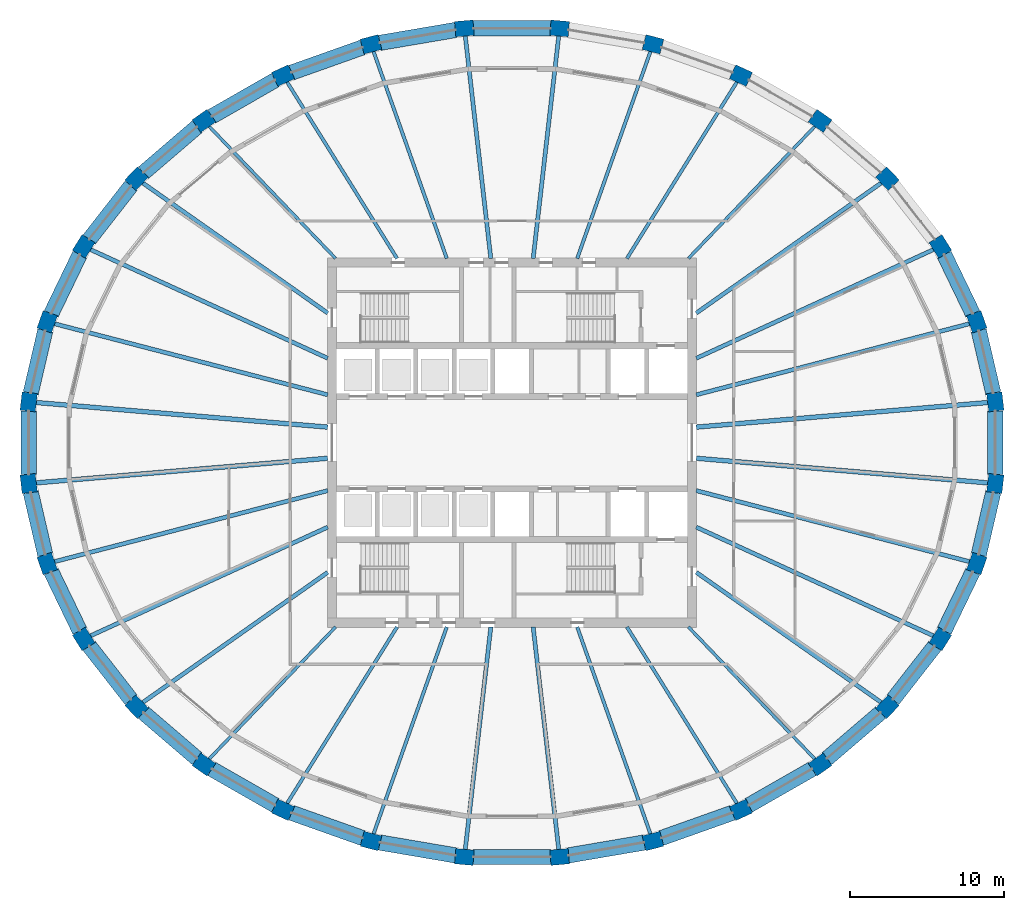
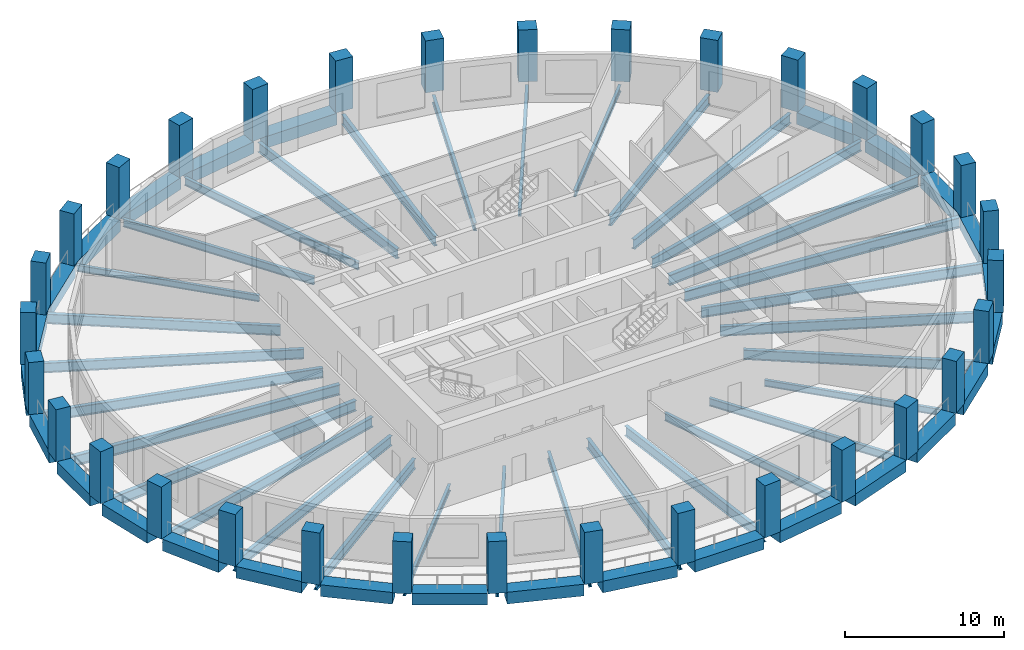
# One storey, part 1 of 11: 59 beams, 32 columns.
"""IFC4 building model written with IfcOpenShell, lengths in metres."""

from ifc_helpers import new_model, si_unit, direction, frame, origin, origin_2d, place, context, subcontext, project, spatial, rectangle, i_section, extrude, material, material_profile, profile_set, type_object, element, save


model = new_model("IFC4")

# Units and contexts
model_context = context("Model", 3, precision=1e-05, world=origin(), true_north=direction((0.0, 1.0)))
body_context = subcontext(model_context, "Body", "Model", "MODEL_VIEW")
ifc_project = project(units=[si_unit("LENGTHUNIT", "METRE"), si_unit("AREAUNIT", "SQUARE_METRE"), si_unit("VOLUMEUNIT", "CUBIC_METRE"), si_unit("PLANEANGLEUNIT", "RADIAN"), si_unit("MASSUNIT", "GRAM", prefix="KILO")], contexts=[model_context])

# Site, building, storey
site_placement = place(None, origin())
site = spatial("IfcSite", under=ifc_project, at=site_placement, CompositionType="ELEMENT")
building_placement = place(site_placement, origin())
building = spatial("IfcBuilding", under=site, at=building_placement, Name="Halqa Exchange Tower", CompositionType="ELEMENT")
storey_placement = place(building_placement, frame((0.0, 0.0, 230.89990234375)))
storey = spatial("IfcBuildingStorey", under=building, at=storey_placement, Name="L53", CompositionType="ELEMENT", Elevation=230.89990234375)

# Columns
ifc_material_1 = material(Name="Concrete C60/75", Category="concrete")
ifc_material_profile_1 = material_profile(ifc_material_1, rectangle(XDim=1.199951171875, YDim=1.0, at=origin_2d()), Name="1200 x 1000")
ifc_profile_set_1 = profile_set([ifc_material_profile_1], Name="Concrete C60/75")
column_type = type_object("IfcColumnType", Name="RC ring column 1200 x 1000 C60/75", PredefinedType="COLUMN", material=ifc_profile_set_1)
for number, where, z_axis, x_axis, name in (
    (1, (31.400634765625, 2.65087890625, 0.0), (0.0, 0.0, 1.0), (-0.114153454138, 0.993463129114, 0.0), "Ring column 1"),
    (2, (30.194091796875, 7.850830078125, 0.0), (0.0, 0.0, 1.0), (-0.333630814899, 0.942703813162, 0.0), "Ring column 2"),
    (3, (27.826904296875, 12.7490234375, 0.0), (0.0, 0.0, 1.0), (-0.529146420131, 0.848530533371, 0.0), "Ring column 3"),
    (4, (24.390380859375, 17.1572265625, 0.0), (0.0, 0.0, 1.0), (-0.691576091297, 0.722303613411, 0.0), "Ring column 4"),
    (5, (20.016845703125, 20.906005859375, 0.0), (0.0, 0.0, 1.0), (-0.817908788019, 0.57534790734, 0.0), "Ring column 5"),
    (6, (14.873779296875, 23.8515625, 0.0), (0.0, 0.0, 1.0), (-0.909128549752, 0.416515641994, 0.0), "Ring column 6"),
    (7, (9.1591796875, 25.880615234375, 0.0), (0.0, 0.0, 1.0), (-0.967818185946, 0.251650469805, 0.0), "Ring column 7"),
    (8, (3.0927734375, 26.914794921875, 0.0), (0.0, 0.0, 1.0), (-0.996454931683, 0.084128289675, 0.0), "Ring column 8"),
    (9, (-3.0927734375, 26.914794921875, 0.0), (0.0, 0.0, 1.0), (-0.996454931683, -0.084128289675, 0.0), "Ring column 9"),
    (10, (-9.1591796875, 25.880615234375, 0.0), (0.0, 0.0, 1.0), (-0.967818185946, -0.251650469805, 0.0), "Ring column 10"),
    (11, (-14.873779296875, 23.8515625, 0.0), (0.0, 0.0, 1.0), (-0.909128549752, -0.416515641994, 0.0), "Ring column 11"),
    (12, (-20.016845703125, 20.906005859375, 0.0), (0.0, 0.0, 1.0), (-0.817908788019, -0.57534790734, 0.0), "Ring column 12"),
    (13, (-24.390380859375, 17.1572265625, 0.0), (0.0, 0.0, 1.0), (-0.691576091297, -0.722303613411, 0.0), "Ring column 13"),
    (14, (-27.826904296875, 12.7490234375, 0.0), (0.0, 0.0, 1.0), (-0.529146420131, -0.848530533371, 0.0), "Ring column 14"),
    (15, (-30.194091796875, 7.850830078125, 0.0), (0.0, 0.0, 1.0), (-0.333630814899, -0.942703813162, 0.0), "Ring column 15"),
    (16, (-31.400634765625, 2.65087890625, 0.0), (0.0, 0.0, 1.0), (-0.114153454138, -0.993463129114, 0.0), "Ring column 16"),
    (17, (-31.400634765625, -2.65087890625, 0.0), (0.0, 0.0, 1.0), (0.114153454138, -0.993463129114, 0.0), "Ring column 17"),
    (18, (-30.194091796875, -7.850830078125, 0.0), (0.0, 0.0, 1.0), (0.333630814899, -0.942703813162, 0.0), "Ring column 18"),
    (19, (-27.826904296875, -12.7490234375, 0.0), (0.0, 0.0, 1.0), (0.529146420131, -0.848530533371, 0.0), "Ring column 19"),
    (20, (-24.390380859375, -17.1572265625, 0.0), (0.0, 0.0, 1.0), (0.691576091297, -0.722303613411, 0.0), "Ring column 20"),
    (21, (-20.016845703125, -20.906005859375, 0.0), (0.0, 0.0, 1.0), (0.817908788019, -0.57534790734, 0.0), "Ring column 21"),
    (22, (-14.873779296875, -23.8515625, 0.0), (0.0, 0.0, 1.0), (0.909128549752, -0.416515641994, 0.0), "Ring column 22"),
    (23, (-9.1591796875, -25.880615234375, 0.0), (0.0, 0.0, 1.0), (0.967818185946, -0.251650469805, 0.0), "Ring column 23"),
    (24, (-3.0927734375, -26.914794921875, 0.0), (0.0, 0.0, 1.0), (0.996454931683, -0.084128289675, 0.0), "Ring column 24"),
    (25, (3.0927734375, -26.914794921875, 0.0), (0.0, 0.0, 1.0), (0.996454931683, 0.084128289675, 0.0), "Ring column 25"),
    (26, (9.1591796875, -25.880615234375, 0.0), (0.0, 0.0, 1.0), (0.967818185946, 0.251650469805, 0.0), "Ring column 26"),
    (27, (14.873779296875, -23.8515625, 0.0), (0.0, 0.0, 1.0), (0.909128549752, 0.416515641994, 0.0), "Ring column 27"),
    (28, (20.016845703125, -20.906005859375, 0.0), (0.0, 0.0, 1.0), (0.817908788019, 0.57534790734, 0.0), "Ring column 28"),
    (29, (24.390380859375, -17.1572265625, 0.0), (0.0, 0.0, 1.0), (0.691576091297, 0.722303613411, 0.0), "Ring column 29"),
    (30, (27.826904296875, -12.7490234375, 0.0), (0.0, 0.0, 1.0), (0.529146420131, 0.848530533371, 0.0), "Ring column 30"),
    (31, (30.194091796875, -7.850830078125, 0.0), (0.0, 0.0, 1.0), (0.333630814899, 0.942703813162, 0.0), "Ring column 31"),
    (32, (31.400634765625, -2.65087890625, 0.0), (0.0, 0.0, 1.0), (0.114153454138, 0.993463129114, 0.0), "Ring column 32"),
):
    element("IfcColumn", number, at=place(storey_placement, frame(where, z_axis=z_axis, x_axis=x_axis)), inside=storey, type_object=column_type, Name=name, PredefinedType="COLUMN", context=body_context, shape_type="SweptSolid", body=[
        extrude(rectangle(XDim=1.199951171875, YDim=1.0, at=origin_2d()), origin(), (0.0, 0.0, 1.0), 4.0),
    ])

# Beams
ifc_material_2 = material(Name="Steel S355", Category="steel")
ifc_material_profile_2 = material_profile(ifc_material_2, i_section(OverallWidth=0.300048828125, OverallDepth=0.800048828125, WebThickness=0.017578125, FlangeThickness=0.032958984375, FilletRadius=0.030029296875, at=origin_2d()), Name="HEB 800")
ifc_profile_set_2 = profile_set([ifc_material_profile_2], Name="Steel S355")
beam_type_1 = type_object("IfcBeamType", Name="Floor beam HEB 800", PredefinedType="BEAM", material=ifc_profile_set_2)
for number, where, z_axis, x_axis, name in (
    (33, (11.972412109375, 1.0107421875, -0.699951171875), (0.996455378733, 0.084122994438, 0.0), (-0.084122994438, 0.996455378733, 0.0), "Radial beam 1"),
    (34, (-11.972412109375, 1.0107421875, -0.699951171875), (-0.996455378733, 0.084122994438, 0.0), (-0.084122994438, -0.996455378733, 0.0), "Radial beam 16"),
    (35, (-11.972412109375, -1.0107421875, -0.699951171875), (-0.996455378733, -0.084122994438, 0.0), (0.084122994438, -0.996455378733, 0.0), "Radial beam 17"),
    (36, (11.972412109375, -1.0107421875, -0.699951171875), (0.996455378733, -0.084122994438, 0.0), (0.084122994438, 0.996455378733, 0.0), "Radial beam 32"),
):
    element("IfcBeam", number, at=place(storey_placement, frame(where, z_axis=z_axis, x_axis=x_axis)), inside=storey, type_object=beam_type_1, Name=name, PredefinedType="BEAM", context=body_context, shape_type="SweptSolid", body=[
        extrude(i_section(OverallWidth=0.300048828125, OverallDepth=0.800048828125, WebThickness=0.017578125, FlangeThickness=0.032958984375, FilletRadius=0.030029296875, at=origin_2d()), origin(), (0.0, 0.0, 1.0), 19.12548828125),
    ])
ifc_material_profile_3 = material_profile(ifc_material_2, i_section(OverallWidth=0.199951171875, OverallDepth=0.5, WebThickness=0.01025390625, FlangeThickness=0.01611328125, FilletRadius=0.02099609375, at=origin_2d()), Name="IPE 500")
ifc_profile_set_3 = profile_set([ifc_material_profile_3], Name="Steel S355")
beam_type_2 = type_object("IfcBeamType", Name="Floor beam IPE 500", PredefinedType="BEAM", material=ifc_profile_set_3)
for number, where, z_axis, x_axis, name in (
    (37, (11.46337890625, 11.972900390625, -0.5498046875), (0.691589578554, 0.722290699674, 0.0), (-0.722290699674, 0.691589578554, 0.0), "Radial beam 5"),
    (38, (-11.46337890625, 11.972900390625, -0.5498046875), (-0.691589578554, 0.722290699674, 0.0), (-0.722290699674, -0.691589578554, 0.0), "Radial beam 12"),
    (39, (-11.46337890625, -11.972900390625, -0.5498046875), (-0.691589578554, -0.722290699674, 0.0), (0.722290699674, -0.691589578554, 0.0), "Radial beam 21"),
    (40, (11.46337890625, -11.972900390625, -0.5498046875), (0.691589578554, -0.722290699674, 0.0), (0.722290699674, 0.691589578554, 0.0), "Radial beam 28"),
):
    element("IfcBeam", number, at=place(storey_placement, frame(where, z_axis=z_axis, x_axis=x_axis)), inside=storey, type_object=beam_type_2, Name=name, PredefinedType="BEAM", context=body_context, shape_type="SweptSolid", body=[
        extrude(i_section(OverallWidth=0.199951171875, OverallDepth=0.5, WebThickness=0.01025390625, FlangeThickness=0.01611328125, FilletRadius=0.02099609375, at=origin_2d()), origin(), (0.0, 0.0, 1.0), 11.991943359375),
    ])
ifc_material_profile_4 = material_profile(ifc_material_2, i_section(OverallWidth=0.219970703125, OverallDepth=0.60009765625, WebThickness=0.011962890625, FlangeThickness=0.01904296875, FilletRadius=0.02392578125, at=origin_2d()), Name="IPE 600")
ifc_profile_set_4 = profile_set([ifc_material_profile_4], Name="Steel S355")
beam_type_3 = type_object("IfcBeamType", Name="Floor beam IPE 600", PredefinedType="BEAM", material=ifc_profile_set_4)
beam_1_placement = place(storey_placement, frame((7.466064453125, 11.972412109375, -0.599853515625), z_axis=(0.529130437453, 0.848540500012, 0.0), x_axis=(-0.848540500012, 0.529130437453, 0.0)))
element("IfcBeam", 41, at=beam_1_placement, inside=storey, type_object=beam_type_3, Name="Radial beam 6", PredefinedType="BEAM", context=body_context, shape_type="SweptSolid", body=[
    extrude(i_section(OverallWidth=0.219970703125, OverallDepth=0.60009765625, WebThickness=0.011962890625, FlangeThickness=0.01904296875, FilletRadius=0.02392578125, at=origin_2d()), origin(), (0.0, 0.0, 1.0), 13.623779296875),
])
for number, where, z_axis, x_axis, name in (
    (42, (4.23681640625, 11.9716796875, -0.599853515625), (0.333629022413, 0.942704447536, 0.0), (-0.942704447536, 0.333629022413, 0.0), "Radial beam 7"),
    (43, (-4.23681640625, 11.9716796875, -0.599853515625), (-0.333629022413, 0.942704447536, 0.0), (-0.942704447536, -0.333629022413, 0.0), "Radial beam 10"),
):
    element("IfcBeam", number, at=place(storey_placement, frame(where, z_axis=z_axis, x_axis=x_axis)), inside=storey, type_object=beam_type_3, Name=name, PredefinedType="BEAM", context=body_context, shape_type="SweptSolid", body=[
        extrude(i_section(OverallWidth=0.219970703125, OverallDepth=0.60009765625, WebThickness=0.011962890625, FlangeThickness=0.01904296875, FilletRadius=0.02392578125, at=origin_2d()), origin(), (0.0, 0.0, 1.0), 14.380126953125),
    ])
for number, where, z_axis, x_axis, name in (
    (44, (-7.466064453125, 11.972412109375, -0.599853515625), (-0.529130437453, 0.848540500012, 0.0), (-0.848540500012, -0.529130437453, 0.0), "Radial beam 11"),
    (45, (-7.466064453125, -11.972412109375, -0.599853515625), (-0.529130437453, -0.848540500012, 0.0), (0.848540500012, -0.529130437453, 0.0), "Radial beam 22"),
):
    element("IfcBeam", number, at=place(storey_placement, frame(where, z_axis=z_axis, x_axis=x_axis)), inside=storey, type_object=beam_type_3, Name=name, PredefinedType="BEAM", context=body_context, shape_type="SweptSolid", body=[
        extrude(i_section(OverallWidth=0.219970703125, OverallDepth=0.60009765625, WebThickness=0.011962890625, FlangeThickness=0.01904296875, FilletRadius=0.02392578125, at=origin_2d()), origin(), (0.0, 0.0, 1.0), 13.623779296875),
    ])
for number, where, z_axis, x_axis, name in (
    (46, (-4.23681640625, -11.9716796875, -0.599853515625), (-0.333629022413, -0.942704447536, 0.0), (0.942704447536, -0.333629022413, 0.0), "Radial beam 23"),
    (47, (4.23681640625, -11.9716796875, -0.599853515625), (0.333629022413, -0.942704447536, 0.0), (0.942704447536, 0.333629022413, 0.0), "Radial beam 26"),
):
    element("IfcBeam", number, at=place(storey_placement, frame(where, z_axis=z_axis, x_axis=x_axis)), inside=storey, type_object=beam_type_3, Name=name, PredefinedType="BEAM", context=body_context, shape_type="SweptSolid", body=[
        extrude(i_section(OverallWidth=0.219970703125, OverallDepth=0.60009765625, WebThickness=0.011962890625, FlangeThickness=0.01904296875, FilletRadius=0.02392578125, at=origin_2d()), origin(), (0.0, 0.0, 1.0), 14.380126953125),
    ])
beam_2_placement = place(storey_placement, frame((7.466064453125, -11.972412109375, -0.599853515625), z_axis=(0.529130437453, -0.848540500012, 0.0), x_axis=(0.848540500012, 0.529130437453, 0.0)))
element("IfcBeam", 48, at=beam_2_placement, inside=storey, type_object=beam_type_3, Name="Radial beam 27", PredefinedType="BEAM", context=body_context, shape_type="SweptSolid", body=[
    extrude(i_section(OverallWidth=0.219970703125, OverallDepth=0.60009765625, WebThickness=0.011962890625, FlangeThickness=0.01904296875, FilletRadius=0.02392578125, at=origin_2d()), origin(), (0.0, 0.0, 1.0), 13.623779296875),
])
ifc_material_profile_5 = material_profile(ifc_material_2, i_section(OverallWidth=0.264892578125, OverallDepth=0.7529296875, WebThickness=0.01318359375, FlangeThickness=0.01708984375, FilletRadius=0.01708984375, at=origin_2d()), Name="IPE 750x147")
ifc_profile_set_5 = profile_set([ifc_material_profile_5], Name="Steel S355")
beam_type_4 = type_object("IfcBeamType", Name="Floor beam IPE 750x147", PredefinedType="BEAM", material=ifc_profile_set_5)
beam_3_placement = place(storey_placement, frame((11.972412109375, 5.485107421875, -0.676513671875), z_axis=(0.909127135445, 0.416518728989, 0.0), x_axis=(-0.416518728989, 0.909127135445, 0.0)))
element("IfcBeam", 49, at=beam_3_placement, inside=storey, type_object=beam_type_4, Name="Radial beam 3", PredefinedType="BEAM", context=body_context, shape_type="SweptSolid", body=[
    extrude(i_section(OverallWidth=0.264892578125, OverallDepth=0.7529296875, WebThickness=0.01318359375, FlangeThickness=0.01708984375, FilletRadius=0.01708984375, at=origin_2d()), origin(), (0.0, 0.0, 1.0), 17.063232421875),
])
beam_4_placement = place(storey_placement, frame((11.97216796875, 8.421630859375, -0.676513671875), z_axis=(0.817906711766, 0.57535085891, 0.0), x_axis=(-0.57535085891, 0.817906711766, 0.0)))
element("IfcBeam", 50, at=beam_4_placement, inside=storey, type_object=beam_type_4, Name="Radial beam 4", PredefinedType="BEAM", context=body_context, shape_type="SweptSolid", body=[
    extrude(i_section(OverallWidth=0.264892578125, OverallDepth=0.7529296875, WebThickness=0.01318359375, FlangeThickness=0.01708984375, FilletRadius=0.01708984375, at=origin_2d()), origin(), (0.0, 0.0, 1.0), 14.80712890625),
])
for number, where, z_axis, x_axis, name in (
    (51, (1.375732421875, 11.972900390625, -0.676513671875), (0.114161028544, 0.993462258751, 0.0), (-0.993462258751, 0.114161028544, 0.0), "Radial beam 8"),
    (52, (-1.375732421875, 11.972900390625, -0.676513671875), (-0.114161028544, 0.993462258751, 0.0), (-0.993462258751, -0.114161028544, 0.0), "Radial beam 9"),
):
    element("IfcBeam", number, at=place(storey_placement, frame(where, z_axis=z_axis, x_axis=x_axis)), inside=storey, type_object=beam_type_4, Name=name, PredefinedType="BEAM", context=body_context, shape_type="SweptSolid", body=[
        extrude(i_section(OverallWidth=0.264892578125, OverallDepth=0.7529296875, WebThickness=0.01318359375, FlangeThickness=0.01708984375, FilletRadius=0.01708984375, at=origin_2d()), origin(), (0.0, 0.0, 1.0), 14.66845703125),
    ])
beam_5_placement = place(storey_placement, frame((-11.97216796875, 8.421630859375, -0.676513671875), z_axis=(-0.817906711766, 0.57535085891, 0.0), x_axis=(-0.57535085891, -0.817906711766, 0.0)))
element("IfcBeam", 53, at=beam_5_placement, inside=storey, type_object=beam_type_4, Name="Radial beam 13", PredefinedType="BEAM", context=body_context, shape_type="SweptSolid", body=[
    extrude(i_section(OverallWidth=0.264892578125, OverallDepth=0.7529296875, WebThickness=0.01318359375, FlangeThickness=0.01708984375, FilletRadius=0.01708984375, at=origin_2d()), origin(), (0.0, 0.0, 1.0), 14.80712890625),
])
for number, where, z_axis, x_axis, name in (
    (54, (-11.972412109375, 5.485107421875, -0.676513671875), (-0.909127135445, 0.416518728989, 0.0), (-0.416518728989, -0.909127135445, 0.0), "Radial beam 14"),
    (55, (-11.972412109375, -5.485107421875, -0.676513671875), (-0.909127135445, -0.416518728989, 0.0), (0.416518728989, -0.909127135445, 0.0), "Radial beam 19"),
):
    element("IfcBeam", number, at=place(storey_placement, frame(where, z_axis=z_axis, x_axis=x_axis)), inside=storey, type_object=beam_type_4, Name=name, PredefinedType="BEAM", context=body_context, shape_type="SweptSolid", body=[
        extrude(i_section(OverallWidth=0.264892578125, OverallDepth=0.7529296875, WebThickness=0.01318359375, FlangeThickness=0.01708984375, FilletRadius=0.01708984375, at=origin_2d()), origin(), (0.0, 0.0, 1.0), 17.063232421875),
    ])
beam_6_placement = place(storey_placement, frame((-11.97216796875, -8.421630859375, -0.676513671875), z_axis=(-0.817906711766, -0.57535085891, 0.0), x_axis=(0.57535085891, -0.817906711766, 0.0)))
element("IfcBeam", 56, at=beam_6_placement, inside=storey, type_object=beam_type_4, Name="Radial beam 20", PredefinedType="BEAM", context=body_context, shape_type="SweptSolid", body=[
    extrude(i_section(OverallWidth=0.264892578125, OverallDepth=0.7529296875, WebThickness=0.01318359375, FlangeThickness=0.01708984375, FilletRadius=0.01708984375, at=origin_2d()), origin(), (0.0, 0.0, 1.0), 14.80712890625),
])
for number, where, z_axis, x_axis, name in (
    (57, (-1.375732421875, -11.972900390625, -0.676513671875), (-0.114161028544, -0.993462258751, 0.0), (0.993462258751, -0.114161028544, 0.0), "Radial beam 24"),
    (58, (1.375732421875, -11.972900390625, -0.676513671875), (0.114161028544, -0.993462258751, 0.0), (0.993462258751, 0.114161028544, 0.0), "Radial beam 25"),
):
    element("IfcBeam", number, at=place(storey_placement, frame(where, z_axis=z_axis, x_axis=x_axis)), inside=storey, type_object=beam_type_4, Name=name, PredefinedType="BEAM", context=body_context, shape_type="SweptSolid", body=[
        extrude(i_section(OverallWidth=0.264892578125, OverallDepth=0.7529296875, WebThickness=0.01318359375, FlangeThickness=0.01708984375, FilletRadius=0.01708984375, at=origin_2d()), origin(), (0.0, 0.0, 1.0), 14.66845703125),
    ])
beam_7_placement = place(storey_placement, frame((11.97216796875, -8.421630859375, -0.676513671875), z_axis=(0.817906711766, -0.57535085891, 0.0), x_axis=(0.57535085891, 0.817906711766, 0.0)))
element("IfcBeam", 59, at=beam_7_placement, inside=storey, type_object=beam_type_4, Name="Radial beam 29", PredefinedType="BEAM", context=body_context, shape_type="SweptSolid", body=[
    extrude(i_section(OverallWidth=0.264892578125, OverallDepth=0.7529296875, WebThickness=0.01318359375, FlangeThickness=0.01708984375, FilletRadius=0.01708984375, at=origin_2d()), origin(), (0.0, 0.0, 1.0), 14.80712890625),
])
beam_8_placement = place(storey_placement, frame((11.972412109375, -5.485107421875, -0.676513671875), z_axis=(0.909127135445, -0.416518728989, 0.0), x_axis=(0.416518728989, 0.909127135445, 0.0)))
element("IfcBeam", 60, at=beam_8_placement, inside=storey, type_object=beam_type_4, Name="Radial beam 30", PredefinedType="BEAM", context=body_context, shape_type="SweptSolid", body=[
    extrude(i_section(OverallWidth=0.264892578125, OverallDepth=0.7529296875, WebThickness=0.01318359375, FlangeThickness=0.01708984375, FilletRadius=0.01708984375, at=origin_2d()), origin(), (0.0, 0.0, 1.0), 17.063232421875),
])
ifc_material_profile_6 = material_profile(ifc_material_2, i_section(OverallWidth=0.26806640625, OverallDepth=0.77001953125, WebThickness=0.015625, FlangeThickness=0.025390625, FilletRadius=0.01708984375, at=origin_2d()), Name="IPE 750x196")
ifc_profile_set_6 = profile_set([ifc_material_profile_6], Name="Steel S355")
beam_type_5 = type_object("IfcBeamType", Name="Floor beam IPE 750x196", PredefinedType="BEAM", material=ifc_profile_set_6)
for number, where, z_axis, x_axis, name in (
    (61, (11.97119140625, 3.112548828125, -0.684814453125), (0.967819542674, 0.251645251931, 0.0), (-0.251645251931, 0.967819542674, 0.0), "Radial beam 2"),
    (62, (-11.97119140625, 3.112548828125, -0.684814453125), (-0.967819542674, 0.251645251931, 0.0), (-0.251645251931, -0.967819542674, 0.0), "Radial beam 15"),
    (63, (-11.97119140625, -3.112548828125, -0.684814453125), (-0.967819542674, -0.251645251931, 0.0), (0.251645251931, -0.967819542674, 0.0), "Radial beam 18"),
    (64, (11.97119140625, -3.112548828125, -0.684814453125), (0.967819542674, -0.251645251931, 0.0), (0.251645251931, 0.967819542674, 0.0), "Radial beam 31"),
):
    element("IfcBeam", number, at=place(storey_placement, frame(where, z_axis=z_axis, x_axis=x_axis)), inside=storey, type_object=beam_type_5, Name=name, PredefinedType="BEAM", context=body_context, shape_type="SweptSolid", body=[
        extrude(i_section(OverallWidth=0.26806640625, OverallDepth=0.77001953125, WebThickness=0.015625, FlangeThickness=0.025390625, FilletRadius=0.01708984375, at=origin_2d()), origin(), (0.0, 0.0, 1.0), 18.454833984375),
    ])
ifc_material_profile_7 = material_profile(ifc_material_1, rectangle(XDim=1.0, YDim=0.89990234375, at=origin_2d()), Name="1000 x 900")
ifc_profile_set_7 = profile_set([ifc_material_profile_7], Name="Concrete C60/75")
beam_type_6 = type_object("IfcBeamType", Name="RC spandrel beam 1000 x 900 C60/75", PredefinedType="SPANDREL", material=ifc_profile_set_7)
beam_9_placement = place(storey_placement, frame((31.2705078125, 3.21240234375, -0.449951171875), z_axis=(-0.226060530608, 0.974113256506, 0.0), x_axis=(-0.974113256506, -0.226060530608, 0.0)))
element("IfcBeam", 65, at=beam_9_placement, inside=storey, type_object=beam_type_6, Name="Spandrel 1", PredefinedType="SPANDREL", context=body_context, shape_type="SweptSolid", body=[
    extrude(rectangle(XDim=1.0, YDim=0.89990234375, at=origin_2d()), origin(), (0.0, 0.0, 1.0), 4.18603515625),
])
beam_10_placement = place(storey_placement, frame((29.94384765625, 8.368408203125, -0.449951171875), z_axis=(-0.435107144785, 0.900378682865, 0.0), x_axis=(-0.900378682865, -0.435107144785, 0.0)))
element("IfcBeam", 66, at=beam_10_placement, inside=storey, type_object=beam_type_6, Name="Spandrel 2", PredefinedType="SPANDREL", context=body_context, shape_type="SweptSolid", body=[
    extrude(rectangle(XDim=1.0, YDim=0.89990234375, at=origin_2d()), origin(), (0.0, 0.0, 1.0), 4.28955078125),
])
beam_11_placement = place(storey_placement, frame((2.519287109375, 26.914794921875, -0.449951171875), z_axis=(-1.0, 0.0, 0.0), x_axis=(0.0, -1.0, 0.0)))
element("IfcBeam", 67, at=beam_11_placement, inside=storey, type_object=beam_type_6, Name="Spandrel 8", PredefinedType="SPANDREL", context=body_context, shape_type="SweptSolid", body=[
    extrude(rectangle(XDim=1.0, YDim=0.89990234375, at=origin_2d()), origin(), (0.0, 0.0, 1.0), 5.03857421875),
])
beam_12_placement = place(storey_placement, frame((-3.658203125, 26.818603515625, -0.449951171875), z_axis=(-0.985770147747, -0.16809882751, 0.0), x_axis=(0.16809882751, -0.985770147747, 0.0)))
element("IfcBeam", 68, at=beam_12_placement, inside=storey, type_object=beam_type_6, Name="Spandrel 9", PredefinedType="SPANDREL", context=body_context, shape_type="SweptSolid", body=[
    extrude(rectangle(XDim=1.0, YDim=0.89990234375, at=origin_2d()), origin(), (0.0, 0.0, 1.0), 5.00634765625),
])
beam_13_placement = place(storey_placement, frame((-9.70068359375, 25.688232421875, -0.449951171875), z_axis=(-0.942371691237, -0.334567774234, 0.0), x_axis=(0.334567774234, -0.942371691237, 0.0)))
element("IfcBeam", 69, at=beam_13_placement, inside=storey, type_object=beam_type_6, Name="Spandrel 10", PredefinedType="SPANDREL", context=body_context, shape_type="SweptSolid", body=[
    extrude(rectangle(XDim=1.0, YDim=0.89990234375, at=origin_2d()), origin(), (0.0, 0.0, 1.0), 4.916015625),
])
beam_14_placement = place(storey_placement, frame((-15.372314453125, 23.566162109375, -0.449951171875), z_axis=(-0.867742640568, -0.497013792304, 0.0), x_axis=(0.497013792304, -0.867742640568, 0.0)))
element("IfcBeam", 70, at=beam_14_placement, inside=storey, type_object=beam_type_6, Name="Spandrel 11", PredefinedType="SPANDREL", context=body_context, shape_type="SweptSolid", body=[
    extrude(rectangle(XDim=1.0, YDim=0.89990234375, at=origin_2d()), origin(), (0.0, 0.0, 1.0), 4.777099609375),
])
beam_15_placement = place(storey_placement, frame((-20.452880859375, 20.5322265625, -0.449951171875), z_axis=(-0.759252865995, -0.65079573253, 0.0), x_axis=(0.65079573253, -0.759252865995, 0.0)))
element("IfcBeam", 71, at=beam_15_placement, inside=storey, type_object=beam_type_6, Name="Spandrel 12", PredefinedType="SPANDREL", context=body_context, shape_type="SweptSolid", body=[
    extrude(rectangle(XDim=1.0, YDim=0.89990234375, at=origin_2d()), origin(), (0.0, 0.0, 1.0), 4.6123046875),
])
beam_16_placement = place(storey_placement, frame((-24.744140625, 16.70361328125, -0.449951171875), z_axis=(-0.61480064822, -0.788682548906, 0.0), x_axis=(0.788682548906, -0.61480064822, 0.0)))
element("IfcBeam", 72, at=beam_16_placement, inside=storey, type_object=beam_type_6, Name="Spandrel 13", PredefinedType="SPANDREL", context=body_context, shape_type="SweptSolid", body=[
    extrude(rectangle(XDim=1.0, YDim=0.89990234375, at=origin_2d()), origin(), (0.0, 0.0, 1.0), 4.439697265625),
])
beam_17_placement = place(storey_placement, frame((-28.077392578125, 12.230712890625, -0.449951171875), z_axis=(-0.435107144785, -0.900378682865, 0.0), x_axis=(0.900378682865, -0.435107144785, 0.0)))
element("IfcBeam", 73, at=beam_17_placement, inside=storey, type_object=beam_type_6, Name="Spandrel 14", PredefinedType="SPANDREL", context=body_context, shape_type="SweptSolid", body=[
    extrude(rectangle(XDim=1.0, YDim=0.89990234375, at=origin_2d()), origin(), (0.0, 0.0, 1.0), 4.28955078125),
])
beam_18_placement = place(storey_placement, frame((-30.32421875, 7.2900390625, -0.449951171875), z_axis=(-0.226060530608, -0.974113256506, 0.0), x_axis=(0.974113256506, -0.226060530608, 0.0)))
element("IfcBeam", 74, at=beam_18_placement, inside=storey, type_object=beam_type_6, Name="Spandrel 15", PredefinedType="SPANDREL", context=body_context, shape_type="SweptSolid", body=[
    extrude(rectangle(XDim=1.0, YDim=0.89990234375, at=origin_2d()), origin(), (0.0, 0.0, 1.0), 4.18603515625),
])
beam_19_placement = place(storey_placement, frame((-31.400634765625, 2.07421875, -0.449951171875), z_axis=(0.0, -1.0, 0.0), x_axis=(1.0, 0.0, 0.0)))
element("IfcBeam", 75, at=beam_19_placement, inside=storey, type_object=beam_type_6, Name="Spandrel 16", PredefinedType="SPANDREL", context=body_context, shape_type="SweptSolid", body=[
    extrude(rectangle(XDim=1.0, YDim=0.89990234375, at=origin_2d()), origin(), (0.0, 0.0, 1.0), 4.1484375),
])
beam_20_placement = place(storey_placement, frame((-31.2705078125, -3.21240234375, -0.449951171875), z_axis=(0.226060530608, -0.974113256506, 0.0), x_axis=(0.974113256506, 0.226060530608, 0.0)))
element("IfcBeam", 76, at=beam_20_placement, inside=storey, type_object=beam_type_6, Name="Spandrel 17", PredefinedType="SPANDREL", context=body_context, shape_type="SweptSolid", body=[
    extrude(rectangle(XDim=1.0, YDim=0.89990234375, at=origin_2d()), origin(), (0.0, 0.0, 1.0), 4.18603515625),
])
beam_21_placement = place(storey_placement, frame((-29.94384765625, -8.368408203125, -0.449951171875), z_axis=(0.435107144785, -0.900378682865, 0.0), x_axis=(0.900378682865, 0.435107144785, 0.0)))
element("IfcBeam", 77, at=beam_21_placement, inside=storey, type_object=beam_type_6, Name="Spandrel 18", PredefinedType="SPANDREL", context=body_context, shape_type="SweptSolid", body=[
    extrude(rectangle(XDim=1.0, YDim=0.89990234375, at=origin_2d()), origin(), (0.0, 0.0, 1.0), 4.28955078125),
])
beam_22_placement = place(storey_placement, frame((-27.4736328125, -13.2021484375, -0.449951171875), z_axis=(0.61480064822, -0.788682548906, 0.0), x_axis=(0.788682548906, 0.61480064822, 0.0)))
element("IfcBeam", 78, at=beam_22_placement, inside=storey, type_object=beam_type_6, Name="Spandrel 19", PredefinedType="SPANDREL", context=body_context, shape_type="SweptSolid", body=[
    extrude(rectangle(XDim=1.0, YDim=0.89990234375, at=origin_2d()), origin(), (0.0, 0.0, 1.0), 4.439697265625),
])
beam_23_placement = place(storey_placement, frame((-23.954833984375, -17.530517578125, -0.449951171875), z_axis=(0.759252865995, -0.65079573253, 0.0), x_axis=(0.65079573253, 0.759252865995, 0.0)))
element("IfcBeam", 79, at=beam_23_placement, inside=storey, type_object=beam_type_6, Name="Spandrel 20", PredefinedType="SPANDREL", context=body_context, shape_type="SweptSolid", body=[
    extrude(rectangle(XDim=1.0, YDim=0.89990234375, at=origin_2d()), origin(), (0.0, 0.0, 1.0), 4.6123046875),
])
beam_24_placement = place(storey_placement, frame((-19.517578125, -21.19189453125, -0.449951171875), z_axis=(0.867742640568, -0.497013792304, 0.0), x_axis=(0.497013792304, 0.867742640568, 0.0)))
element("IfcBeam", 80, at=beam_24_placement, inside=storey, type_object=beam_type_6, Name="Spandrel 21", PredefinedType="SPANDREL", context=body_context, shape_type="SweptSolid", body=[
    extrude(rectangle(XDim=1.0, YDim=0.89990234375, at=origin_2d()), origin(), (0.0, 0.0, 1.0), 4.777099609375),
])
beam_25_placement = place(storey_placement, frame((-14.33349609375, -24.04345703125, -0.449951171875), z_axis=(0.942371691237, -0.334567774234, 0.0), x_axis=(0.334567774234, 0.942371691237, 0.0)))
element("IfcBeam", 81, at=beam_25_placement, inside=storey, type_object=beam_type_6, Name="Spandrel 22", PredefinedType="SPANDREL", context=body_context, shape_type="SweptSolid", body=[
    extrude(rectangle(XDim=1.0, YDim=0.89990234375, at=origin_2d()), origin(), (0.0, 0.0, 1.0), 4.916015625),
])
beam_26_placement = place(storey_placement, frame((-8.59326171875, -25.97705078125, -0.449951171875), z_axis=(0.985770147747, -0.16809882751, 0.0), x_axis=(0.16809882751, 0.985770147747, 0.0)))
element("IfcBeam", 82, at=beam_26_placement, inside=storey, type_object=beam_type_6, Name="Spandrel 23", PredefinedType="SPANDREL", context=body_context, shape_type="SweptSolid", body=[
    extrude(rectangle(XDim=1.0, YDim=0.89990234375, at=origin_2d()), origin(), (0.0, 0.0, 1.0), 5.00634765625),
])
beam_27_placement = place(storey_placement, frame((-2.519287109375, -26.914794921875, -0.449951171875), z_axis=(1.0, 0.0, 0.0), x_axis=(0.0, 1.0, 0.0)))
element("IfcBeam", 83, at=beam_27_placement, inside=storey, type_object=beam_type_6, Name="Spandrel 24", PredefinedType="SPANDREL", context=body_context, shape_type="SweptSolid", body=[
    extrude(rectangle(XDim=1.0, YDim=0.89990234375, at=origin_2d()), origin(), (0.0, 0.0, 1.0), 5.03857421875),
])
beam_28_placement = place(storey_placement, frame((3.658203125, -26.818603515625, -0.449951171875), z_axis=(0.985770147747, 0.16809882751, 0.0), x_axis=(-0.16809882751, 0.985770147747, 0.0)))
element("IfcBeam", 84, at=beam_28_placement, inside=storey, type_object=beam_type_6, Name="Spandrel 25", PredefinedType="SPANDREL", context=body_context, shape_type="SweptSolid", body=[
    extrude(rectangle(XDim=1.0, YDim=0.89990234375, at=origin_2d()), origin(), (0.0, 0.0, 1.0), 5.00634765625),
])
beam_29_placement = place(storey_placement, frame((9.70068359375, -25.688232421875, -0.449951171875), z_axis=(0.942371691237, 0.334567774234, 0.0), x_axis=(-0.334567774234, 0.942371691237, 0.0)))
element("IfcBeam", 85, at=beam_29_placement, inside=storey, type_object=beam_type_6, Name="Spandrel 26", PredefinedType="SPANDREL", context=body_context, shape_type="SweptSolid", body=[
    extrude(rectangle(XDim=1.0, YDim=0.89990234375, at=origin_2d()), origin(), (0.0, 0.0, 1.0), 4.916015625),
])
beam_30_placement = place(storey_placement, frame((15.372314453125, -23.566162109375, -0.449951171875), z_axis=(0.867742640568, 0.497013792304, 0.0), x_axis=(-0.497013792304, 0.867742640568, 0.0)))
element("IfcBeam", 86, at=beam_30_placement, inside=storey, type_object=beam_type_6, Name="Spandrel 27", PredefinedType="SPANDREL", context=body_context, shape_type="SweptSolid", body=[
    extrude(rectangle(XDim=1.0, YDim=0.89990234375, at=origin_2d()), origin(), (0.0, 0.0, 1.0), 4.777099609375),
])
beam_31_placement = place(storey_placement, frame((20.452880859375, -20.5322265625, -0.449951171875), z_axis=(0.759252865995, 0.65079573253, 0.0), x_axis=(-0.65079573253, 0.759252865995, 0.0)))
element("IfcBeam", 87, at=beam_31_placement, inside=storey, type_object=beam_type_6, Name="Spandrel 28", PredefinedType="SPANDREL", context=body_context, shape_type="SweptSolid", body=[
    extrude(rectangle(XDim=1.0, YDim=0.89990234375, at=origin_2d()), origin(), (0.0, 0.0, 1.0), 4.6123046875),
])
beam_32_placement = place(storey_placement, frame((24.744140625, -16.70361328125, -0.449951171875), z_axis=(0.61480064822, 0.788682548906, 0.0), x_axis=(-0.788682548906, 0.61480064822, 0.0)))
element("IfcBeam", 88, at=beam_32_placement, inside=storey, type_object=beam_type_6, Name="Spandrel 29", PredefinedType="SPANDREL", context=body_context, shape_type="SweptSolid", body=[
    extrude(rectangle(XDim=1.0, YDim=0.89990234375, at=origin_2d()), origin(), (0.0, 0.0, 1.0), 4.439697265625),
])
beam_33_placement = place(storey_placement, frame((28.077392578125, -12.230712890625, -0.449951171875), z_axis=(0.435107144785, 0.900378682865, 0.0), x_axis=(-0.900378682865, 0.435107144785, 0.0)))
element("IfcBeam", 89, at=beam_33_placement, inside=storey, type_object=beam_type_6, Name="Spandrel 30", PredefinedType="SPANDREL", context=body_context, shape_type="SweptSolid", body=[
    extrude(rectangle(XDim=1.0, YDim=0.89990234375, at=origin_2d()), origin(), (0.0, 0.0, 1.0), 4.28955078125),
])
beam_34_placement = place(storey_placement, frame((30.32421875, -7.2900390625, -0.449951171875), z_axis=(0.226060530608, 0.974113256506, 0.0), x_axis=(-0.974113256506, 0.226060530608, 0.0)))
element("IfcBeam", 90, at=beam_34_placement, inside=storey, type_object=beam_type_6, Name="Spandrel 31", PredefinedType="SPANDREL", context=body_context, shape_type="SweptSolid", body=[
    extrude(rectangle(XDim=1.0, YDim=0.89990234375, at=origin_2d()), origin(), (0.0, 0.0, 1.0), 4.18603515625),
])
beam_35_placement = place(storey_placement, frame((31.400634765625, -2.07421875, -0.449951171875), z_axis=(0.0, 1.0, 0.0), x_axis=(-1.0, 0.0, 0.0)))
element("IfcBeam", 91, at=beam_35_placement, inside=storey, type_object=beam_type_6, Name="Spandrel 32", PredefinedType="SPANDREL", context=body_context, shape_type="SweptSolid", body=[
    extrude(rectangle(XDim=1.0, YDim=0.89990234375, at=origin_2d()), origin(), (0.0, 0.0, 1.0), 4.1484375),
])

save(model, "model.ifc")
